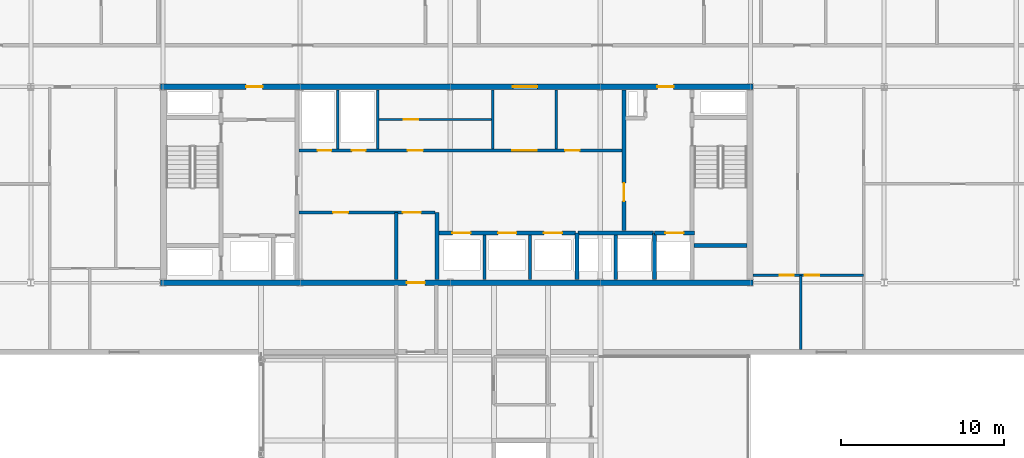
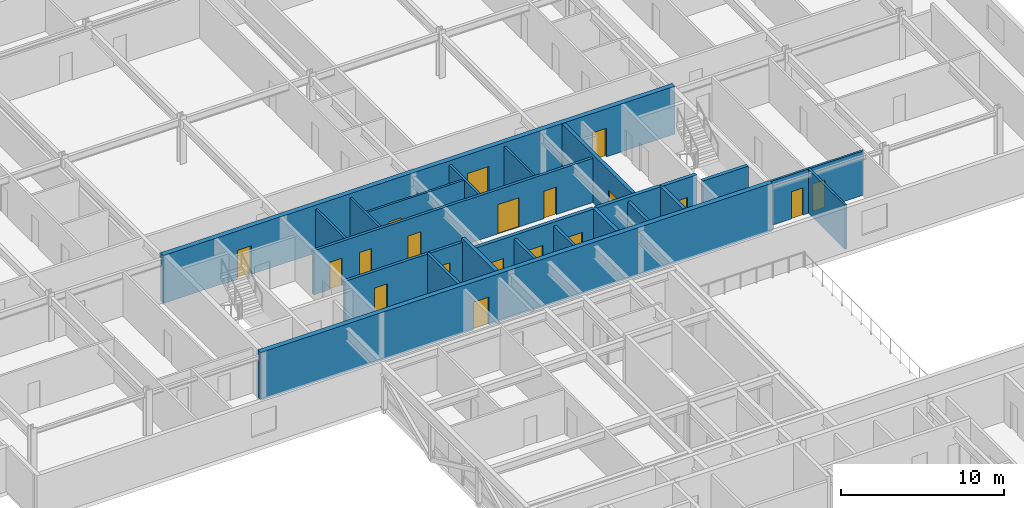
# One storey, part 18 of 28: 23 walls, 19 doors, 19 openings.
"""IFC4 building model written with IfcOpenShell, lengths in metres."""

from ifc_helpers import new_model, si_unit, direction, frame, frame_2d, origin, place, context, subcontext, project, spatial, rectangle, extrude, material, layer, layer_set, type_object, element, fill, save


model = new_model("IFC4")

# Units and contexts
model_context = context("Model", 3, precision=1e-05, world=origin(), true_north=direction((0.0, 1.0)))
body_context = subcontext(model_context, "Body", "Model", "MODEL_VIEW")
ifc_project = project(units=[si_unit("LENGTHUNIT", "METRE"), si_unit("AREAUNIT", "SQUARE_METRE"), si_unit("VOLUMEUNIT", "CUBIC_METRE"), si_unit("PLANEANGLEUNIT", "RADIAN"), si_unit("MASSUNIT", "GRAM", prefix="KILO")], contexts=[model_context])

# Site, building, storey
site_placement = place(None, origin())
site = spatial("IfcSite", under=ifc_project, at=site_placement, CompositionType="ELEMENT")
building_placement = place(site_placement, origin())
building = spatial("IfcBuilding", under=site, at=building_placement, Name="Korimba Cascade Residences", CompositionType="ELEMENT")
storey_placement = place(building_placement, frame((0.0, 0.0, 153.699951171875)))
storey = spatial("IfcBuildingStorey", under=building, at=storey_placement, Name="L44", CompositionType="ELEMENT", Elevation=153.699951171875)

# Wall, opening, door
ifc_material_1 = material(Name="Concrete C65/80", Category="concrete")
ifc_layer_1 = layer(ifc_material_1, 0.35009765625)
ifc_layer_set_1 = layer_set([ifc_layer_1], Name="Concrete C65/80")
wall_type_1 = type_object("IfcWallType", Name="WAL-CORE-350", PredefinedType="SHEAR", material=ifc_layer_set_1)
wall_1_placement = place(storey_placement, frame((75.949951171875, 55.199951171875, 0.0), z_axis=(0.0, 0.0, 1.0), x_axis=(1.0, 0.0, 0.0)))
wall_1 = element("IfcWall", 1, at=wall_1_placement, inside=storey, type_object=wall_type_1, Name="L44 Core Shear Wall CW-L44-T1-S", PredefinedType="SHEAR", context=body_context, shape_type="SweptSolid", body=[
    extrude(rectangle(XDim=36.300048828125, YDim=0.35009765625, at=frame_2d((18.14990234375, 0.0))), origin(), (0.0, 0.0, 1.0), 3.60009765625),
])
opening_1_placement = place(wall_1_placement, frame((15.10009765625, 0.0, 0.0)))
opening_1 = element("IfcOpeningElement", 2, at=opening_1_placement, cuts=wall_1, Name="Opening D-FD1", PredefinedType="OPENING", context=body_context, shape_type="SweptSolid", body=[
    extrude(rectangle(XDim=1.10009765625, YDim=2.10009765625, at=frame_2d((0.550048828125, 1.050048828125))), frame((0.0, 0.18505859375, 0.0), z_axis=(0.0, -1.0, 0.0), x_axis=(1.0, 0.0, 0.0)), (0.0, 0.0, 1.0), 0.3701171875),
])
ifc_material_2 = material(Name="Fire-Rated Steel Core Door", Category="steel")
door_type_1 = type_object("IfcDoorType", Name="DR-FD120-1100", OperationType="NOTDEFINED", PredefinedType="DOOR", material=ifc_material_2)
door_1_placement = place(opening_1_placement, origin())
door_1 = element("IfcDoor", 3, at=door_1_placement, inside=storey, type_object=door_type_1, Name="L44 Skybridge to T1 Core Fire Door", OperationType="SINGLE_SWING_RIGHT", OverallHeight=2.10009765625, OverallWidth=1.10009765625, PredefinedType="DOOR", context=body_context, shape_type="SweptSolid", body=[
    extrude(rectangle(XDim=1.10009765625, YDim=2.10009765625, at=frame_2d((0.550048828125, 1.050048828125))), frame((0.0, 0.02490234375, 0.0), z_axis=(0.0, -1.0, 0.0), x_axis=(1.0, 0.0, 0.0)), (0.0, 0.0, 1.0), 0.050048828125),
])
fill(opening_1, door_1)

# Wall, openings, doors
wall_2_placement = place(storey_placement, frame((75.949951171875, 67.199951171875, 0.0), z_axis=(0.0, 0.0, 1.0), x_axis=(1.0, 0.0, 0.0)))
wall_2 = element("IfcWall", 4, at=wall_2_placement, inside=storey, type_object=wall_type_1, Name="L44 Core Shear Wall CW-L44-T1-N", PredefinedType="SHEAR", context=body_context, shape_type="SweptSolid", body=[
    extrude(rectangle(XDim=36.300048828125, YDim=0.35009765625, at=frame_2d((18.14990234375, 0.0))), origin(), (0.0, 0.0, 1.0), 3.60009765625),
])
opening_2_placement = place(wall_2_placement, frame((5.25, 0.0, 0.0)))
opening_2 = element("IfcOpeningElement", 5, at=opening_2_placement, cuts=wall_2, Name="Opening D-FD5", PredefinedType="OPENING", context=body_context, shape_type="SweptSolid", body=[
    extrude(rectangle(XDim=1.0, YDim=2.14990234375, at=frame_2d((0.5, 1.074951171875))), frame((0.0, 0.18505859375, 0.0), z_axis=(0.0, -1.0, 0.0), x_axis=(1.0, 0.0, 0.0)), (0.0, 0.0, 1.0), 0.3701171875),
])
opening_3_placement = place(wall_2_placement, frame((21.60009765625, 0.0, 0.0)))
opening_3 = element("IfcOpeningElement", 6, at=opening_3_placement, cuts=wall_2, Name="Opening D-FD8", PredefinedType="OPENING", context=body_context, shape_type="SweptSolid", body=[
    extrude(rectangle(XDim=1.5, YDim=2.199951171875, at=frame_2d((0.75, 1.10009765625))), frame((0.0, 0.18505859375, 0.0), z_axis=(0.0, -1.0, 0.0), x_axis=(1.0, 0.0, 0.0)), (0.0, 0.0, 1.0), 0.3701171875),
])
opening_4_placement = place(wall_2_placement, frame((30.449951171875, 0.0, 0.0)))
opening_4 = element("IfcOpeningElement", 7, at=opening_4_placement, cuts=wall_2, Name="Opening D-FD5", PredefinedType="OPENING", context=body_context, shape_type="SweptSolid", body=[
    extrude(rectangle(XDim=1.0, YDim=2.14990234375, at=frame_2d((0.5, 1.074951171875))), frame((0.0, 0.18505859375, 0.0), z_axis=(0.0, -1.0, 0.0), x_axis=(1.0, 0.0, 0.0)), (0.0, 0.0, 1.0), 0.3701171875),
])
ifc_material_3 = material(Name="Fire-Rated Acoustic Timber Vestibule Door", Category="wood")
door_type_2 = type_object("IfcDoorType", Name="DR-FD90-1000", OperationType="NOTDEFINED", PredefinedType="DOOR", material=ifc_material_3)
door_2_placement = place(opening_2_placement, origin())
door_2 = element("IfcDoor", 8, at=door_2_placement, inside=storey, type_object=door_type_2, Name="L44 T1 West Core Vestibule Fire Door", OperationType="SINGLE_SWING_LEFT", OverallHeight=2.14990234375, OverallWidth=1.0, PredefinedType="DOOR", context=body_context, shape_type="SweptSolid", body=[
    extrude(rectangle(XDim=1.0, YDim=2.14990234375, at=frame_2d((0.5, 1.074951171875))), frame((0.0, 0.02490234375, 0.0), z_axis=(0.0, -1.0, 0.0), x_axis=(1.0, 0.0, 0.0)), (0.0, 0.0, 1.0), 0.050048828125),
])
fill(opening_2, door_2)
door_3_placement = place(opening_4_placement, origin())
door_3 = element("IfcDoor", 9, at=door_3_placement, inside=storey, type_object=door_type_2, Name="L44 T1 East Firefighting Vestibule Fire Door", OperationType="SINGLE_SWING_RIGHT", OverallHeight=2.14990234375, OverallWidth=1.0, PredefinedType="DOOR", context=body_context, shape_type="SweptSolid", body=[
    extrude(rectangle(XDim=1.0, YDim=2.14990234375, at=frame_2d((0.5, 1.074951171875))), frame((0.0, 0.02490234375, 0.0), z_axis=(0.0, -1.0, 0.0), x_axis=(1.0, 0.0, 0.0)), (0.0, 0.0, 1.0), 0.050048828125),
])
fill(opening_4, door_3)
ifc_material_4 = material(Name="Fire-Rated Glazed Lift Lobby Double Door", Category="glass")
door_type_3 = type_object("IfcDoorType", Name="DR-FD90-1500", OperationType="NOTDEFINED", PredefinedType="DOOR", material=ifc_material_4)
door_4_placement = place(opening_3_placement, origin())
door_4 = element("IfcDoor", 10, at=door_4_placement, inside=storey, type_object=door_type_3, Name="L44 T1 Lift Lobby Fire Door", OperationType="DOUBLE_DOOR_SINGLE_SWING", OverallHeight=2.199951171875, OverallWidth=1.5, PredefinedType="DOOR", context=body_context, shape_type="SweptSolid", body=[
    extrude(rectangle(XDim=1.5, YDim=2.199951171875, at=frame_2d((0.75, 1.10009765625))), frame((0.0, 0.02490234375, 0.0), z_axis=(0.0, -1.0, 0.0), x_axis=(1.0, 0.0, 0.0)), (0.0, 0.0, 1.0), 0.050048828125),
])
fill(opening_3, door_4)

# Walls
ifc_material_5 = material(Name="Insulated Acoustic Stud Partition", Category="gypsum")
ifc_layer_2 = layer(ifc_material_5, 0.14990234375)
ifc_layer_set_2 = layer_set([ifc_layer_2], Name="Insulated Acoustic Stud Partition")
wall_type_2 = type_object("IfcWallType", Name="WAL-PART-150", PredefinedType="PARTITIONING", material=ifc_layer_set_2)
for number, where, z_axis, x_axis, name in (
    (11, (86.800048828125, 63.39990234375, 0.0), (0.0, 0.0, 1.0), (0.0, 1.0, 0.0), "L44 Partition Wall CW-L44-T1-ERDIV"),
    (12, (89.25, 63.39990234375, 0.0), (0.0, 0.0, 1.0), (0.0, 1.0, 0.0), "L44 Partition Wall CW-L44-T1-PRDIV"),
):
    element("IfcWall", number, at=place(storey_placement, frame(where, z_axis=z_axis, x_axis=x_axis)), inside=storey, type_object=wall_type_2, Name=name, PredefinedType="PARTITIONING", context=body_context, shape_type="SweptSolid", body=[
        extrude(rectangle(XDim=3.60009765625, YDim=0.14990234375, at=frame_2d((1.800048828125, 0.0))), origin(), (0.0, 0.0, 1.0), 3.320068359375),
    ])

# Wall, opening, door
wall_3_placement = place(storey_placement, frame((89.25, 65.199951171875, 0.0), z_axis=(0.0, 0.0, 1.0), x_axis=(1.0, 0.0, 0.0)))
wall_3 = element("IfcWall", 13, at=wall_3_placement, inside=storey, type_object=wall_type_2, Name="L44 Partition Wall CW-L44-T1-CA2HZ", PredefinedType="PARTITIONING", context=body_context, shape_type="SweptSolid", body=[
    extrude(rectangle(XDim=7.050048828125, YDim=0.14990234375, at=frame_2d((3.52490234375, 0.0))), origin(), (0.0, 0.0, 1.0), 3.320068359375),
])
opening_5_placement = place(wall_3_placement, frame((1.60009765625, 0.0, 0.0)))
opening_5 = element("IfcOpeningElement", 14, at=opening_5_placement, cuts=wall_3, Name="Opening D-IN2", PredefinedType="OPENING", context=body_context, shape_type="SweptSolid", body=[
    extrude(rectangle(XDim=0.8798828125, YDim=2.06005859375, at=frame_2d((0.43994140625, 1.030029296875))), frame((0.0, 0.0849609375, 0.0), z_axis=(0.0, -1.0, 0.0), x_axis=(1.0, 0.0, 0.0)), (0.0, 0.0, 1.0), 0.169921875),
])
ifc_material_6 = material(Name="Acoustic Timber Bedroom Door", Category="wood")
door_type_4 = type_object("IfcDoorType", Name="DR-INT-880", OperationType="NOTDEFINED", PredefinedType="DOOR", material=ifc_material_6)
door_5_placement = place(opening_5_placement, origin())
door_5 = element("IfcDoor", 15, at=door_5_placement, inside=storey, type_object=door_type_4, Name="L44 Pram Store Door", OperationType="SINGLE_SWING_LEFT", OverallHeight=2.06005859375, OverallWidth=0.8798828125, PredefinedType="DOOR", context=body_context, shape_type="SweptSolid", body=[
    extrude(rectangle(XDim=0.8798828125, YDim=2.06005859375, at=frame_2d((0.43994140625, 1.030029296875))), frame((0.0, 0.02490234375, 0.0), z_axis=(0.0, -1.0, 0.0), x_axis=(1.0, 0.0, 0.0)), (0.0, 0.0, 1.0), 0.050048828125),
])
fill(opening_5, door_5)

# Walls
for number, where, z_axis, x_axis, name in (
    (16, (96.300048828125, 63.39990234375, 0.0), (0.0, 0.0, 1.0), (0.0, 1.0, 0.0), "L44 Partition Wall CW-L44-T1-THW"),
    (17, (100.199951171875, 63.39990234375, 0.0), (0.0, 0.0, 1.0), (0.0, 1.0, 0.0), "L44 Partition Wall CW-L44-T1-THE"),
):
    element("IfcWall", number, at=place(storey_placement, frame(where, z_axis=z_axis, x_axis=x_axis)), inside=storey, type_object=wall_type_2, Name=name, PredefinedType="PARTITIONING", context=body_context, shape_type="SweptSolid", body=[
        extrude(rectangle(XDim=3.60009765625, YDim=0.14990234375, at=frame_2d((1.800048828125, 0.0))), origin(), (0.0, 0.0, 1.0), 3.320068359375),
    ])
wall_4_placement = place(storey_placement, frame((115.199951171875, 51.10009765625, 0.0), z_axis=(0.0, 0.0, 1.0), x_axis=(0.0, 1.0, 0.0)))
element("IfcWall", 18, at=wall_4_placement, inside=storey, type_object=wall_type_2, Name="L44 Partition Wall WAL-L44-T1-FE-VS", PredefinedType="PARTITIONING", context=body_context, shape_type="SweptSolid", body=[
    extrude(rectangle(XDim=4.5498046875, YDim=0.14990234375, at=frame_2d((2.27490234375, 0.0))), origin(), (0.0, 0.0, 1.0), 3.320068359375),
])

# Wall, openings, doors
wall_5_placement = place(storey_placement, frame((112.27001953125, 55.64990234375, 0.0), z_axis=(0.0, 0.0, 1.0), x_axis=(1.0, 0.0, 0.0)))
wall_5 = element("IfcWall", 19, at=wall_5_placement, inside=storey, type_object=wall_type_2, Name="L44 Partition Wall WAL-L44-T1-FE-H", PredefinedType="PARTITIONING", context=body_context, shape_type="SweptSolid", body=[
    extrude(rectangle(XDim=6.760009765625, YDim=0.14990234375, at=frame_2d((3.3798828125, 0.0))), origin(), (0.0, 0.0, 1.0), 3.320068359375),
])
opening_6_placement = place(wall_5_placement, frame((1.6396484375, 0.0, 0.0)))
opening_6 = element("IfcOpeningElement", 20, at=opening_6_placement, cuts=wall_5, Name="Opening D-BT1", PredefinedType="OPENING", context=body_context, shape_type="SweptSolid", body=[
    extrude(rectangle(XDim=0.840087890625, YDim=2.0400390625, at=frame_2d((0.419921875, 1.02001953125))), frame((0.0, 0.0849609375, 0.0), z_axis=(0.0, -1.0, 0.0), x_axis=(1.0, 0.0, 0.0)), (0.0, 0.0, 1.0), 0.169921875),
])
opening_7_placement = place(wall_5_placement, frame((3.160400390625, 0.0, 0.0)))
opening_7 = element("IfcOpeningElement", 21, at=opening_7_placement, cuts=wall_5, Name="Opening D-IN2", PredefinedType="OPENING", context=body_context, shape_type="SweptSolid", body=[
    extrude(rectangle(XDim=0.8798828125, YDim=2.06005859375, at=frame_2d((0.43994140625, 1.030029296875))), frame((0.0, 0.0849609375, 0.0), z_axis=(0.0, -1.0, 0.0), x_axis=(1.0, 0.0, 0.0)), (0.0, 0.0, 1.0), 0.169921875),
])
ifc_material_7 = material(Name="Moisture-Resistant Bathroom Timber Door", Category="wood")
door_type_5 = type_object("IfcDoorType", Name="DR-INT-850", OperationType="NOTDEFINED", PredefinedType="DOOR", material=ifc_material_7)
door_6_placement = place(opening_6_placement, origin())
door_6 = element("IfcDoor", 22, at=door_6_placement, inside=storey, type_object=door_type_5, Name="L44-T1-FE Bathroom Door", OperationType="SINGLE_SWING_LEFT", OverallHeight=2.0400390625, OverallWidth=0.840087890625, PredefinedType="DOOR", context=body_context, shape_type="SweptSolid", body=[
    extrude(rectangle(XDim=0.840087890625, YDim=2.0400390625, at=frame_2d((0.419921875, 1.02001953125))), frame((0.0, 0.02490234375, 0.0), z_axis=(0.0, -1.0, 0.0), x_axis=(1.0, 0.0, 0.0)), (0.0, 0.0, 1.0), 0.050048828125),
])
fill(opening_6, door_6)
door_7_placement = place(opening_7_placement, origin())
door_7 = element("IfcDoor", 23, at=door_7_placement, inside=storey, type_object=door_type_4, Name="L44-T1-FE Bedroom Door", OperationType="SINGLE_SWING_RIGHT", OverallHeight=2.06005859375, OverallWidth=0.8798828125, PredefinedType="DOOR", context=body_context, shape_type="SweptSolid", body=[
    extrude(rectangle(XDim=0.8798828125, YDim=2.06005859375, at=frame_2d((0.43994140625, 1.030029296875))), frame((0.0, 0.02490234375, 0.0), z_axis=(0.0, -1.0, 0.0), x_axis=(1.0, 0.0, 0.0)), (0.0, 0.0, 1.0), 0.050048828125),
])
fill(opening_7, door_7)

# Wall
ifc_material_8 = material(Name="Concrete C40/50", Category="concrete")
ifc_layer_3 = layer(ifc_material_8, 0.199951171875)
ifc_layer_set_3 = layer_set([ifc_layer_3], Name="Concrete C40/50")
wall_type_3 = type_object("IfcWallType", Name="WAL-PART-200", PredefinedType="PARTITIONING", material=ifc_layer_set_3)
wall_6_placement = place(storey_placement, frame((90.39990234375, 55.39990234375, 0.0), z_axis=(0.0, 0.0, 1.0), x_axis=(0.0, 1.0, 0.0)))
element("IfcWall", 24, at=wall_6_placement, inside=storey, type_object=wall_type_3, Name="L44 Partition Wall CW-L44-T1-BRGPD", PredefinedType="PARTITIONING", context=body_context, shape_type="SweptSolid", body=[
    extrude(rectangle(XDim=4.10009765625, YDim=0.199951171875, at=frame_2d((2.050048828125, 0.0))), origin(), (0.0, 0.0, 1.0), 3.320068359375),
])

# Wall, openings, doors
wall_7_placement = place(storey_placement, frame((84.419921875, 59.5, 0.0), z_axis=(0.0, 0.0, 1.0), x_axis=(1.0, 0.0, 0.0)))
wall_7 = element("IfcWall", 25, at=wall_7_placement, inside=storey, type_object=wall_type_3, Name="L44 Partition Wall CW-L44-T1-B1RN", PredefinedType="PARTITIONING", context=body_context, shape_type="SweptSolid", body=[
    extrude(rectangle(XDim=8.360107421875, YDim=0.199951171875, at=frame_2d((4.18017578125, 0.0))), origin(), (0.0, 0.0, 1.0), 3.320068359375),
])
opening_8_placement = place(wall_7_placement, frame((2.10009765625, 0.0, 0.0)))
opening_8 = element("IfcOpeningElement", 26, at=opening_8_placement, cuts=wall_7, Name="Opening D-ST1", PredefinedType="OPENING", context=body_context, shape_type="SweptSolid", body=[
    extrude(rectangle(XDim=0.919921875, YDim=2.080078125, at=frame_2d((0.4599609375, 1.0400390625))), frame((0.0, 0.10986328125, 0.0), z_axis=(0.0, -1.0, 0.0), x_axis=(1.0, 0.0, 0.0)), (0.0, 0.0, 1.0), 0.219970703125),
])
opening_9_placement = place(wall_7_placement, frame((6.3798828125, 0.0, 0.0)))
opening_9 = element("IfcOpeningElement", 27, at=opening_9_placement, cuts=wall_7, Name="Opening D-FD1", PredefinedType="OPENING", context=body_context, shape_type="SweptSolid", body=[
    extrude(rectangle(XDim=1.10009765625, YDim=2.10009765625, at=frame_2d((0.550048828125, 1.050048828125))), frame((0.0, 0.10986328125, 0.0), z_axis=(0.0, -1.0, 0.0), x_axis=(1.0, 0.0, 0.0)), (0.0, 0.0, 1.0), 0.219970703125),
])
door_8_placement = place(opening_9_placement, origin())
door_8 = element("IfcDoor", 28, at=door_8_placement, inside=storey, type_object=door_type_1, Name="L44 Skybridge Vestibule to Lift Lobby Door", OperationType="SINGLE_SWING_RIGHT", OverallHeight=2.10009765625, OverallWidth=1.10009765625, PredefinedType="DOOR", context=body_context, shape_type="SweptSolid", body=[
    extrude(rectangle(XDim=1.10009765625, YDim=2.10009765625, at=frame_2d((0.550048828125, 1.050048828125))), frame((0.0, 0.02490234375, 0.0), z_axis=(0.0, -1.0, 0.0), x_axis=(1.0, 0.0, 0.0)), (0.0, 0.0, 1.0), 0.050048828125),
])
fill(opening_9, door_8)
ifc_material_9 = material(Name="Fire-Rated Core Store Door", Category="wood")
door_type_6 = type_object("IfcDoorType", Name="DR-FD60-920", OperationType="NOTDEFINED", PredefinedType="DOOR", material=ifc_material_9)
door_9_placement = place(opening_8_placement, origin())
door_9 = element("IfcDoor", 29, at=door_9_placement, inside=storey, type_object=door_type_6, Name="L44 Resident Storage Door", OperationType="SINGLE_SWING_LEFT", OverallHeight=2.080078125, OverallWidth=0.919921875, PredefinedType="DOOR", context=body_context, shape_type="SweptSolid", body=[
    extrude(rectangle(XDim=0.919921875, YDim=2.080078125, at=frame_2d((0.4599609375, 1.0400390625))), frame((0.0, 0.02490234375, 0.0), z_axis=(0.0, -1.0, 0.0), x_axis=(1.0, 0.0, 0.0)), (0.0, 0.0, 1.0), 0.050048828125),
])
fill(opening_8, door_9)

# Walls
for number, where, z_axis, x_axis, name in (
    (30, (95.800048828125, 55.39990234375, 0.0), (0.0, 0.0, 1.0), (0.0, 1.0, 0.0), "L44 Partition Wall CW-L44-T1-B2D1"),
    (31, (98.60009765625, 55.39990234375, 0.0), (0.0, 0.0, 1.0), (0.0, 1.0, 0.0), "L44 Partition Wall CW-L44-T1-B2D2"),
    (32, (103.85009765625, 55.39990234375, 0.0), (0.0, 0.0, 1.0), (0.0, 1.0, 0.0), "L44 Partition Wall CW-L44-T1-B3D1"),
):
    element("IfcWall", number, at=place(storey_placement, frame(where, z_axis=z_axis, x_axis=x_axis)), inside=storey, type_object=wall_type_3, Name=name, PredefinedType="PARTITIONING", context=body_context, shape_type="SweptSolid", body=[
        extrude(rectangle(XDim=2.72021484375, YDim=0.199951171875, at=frame_2d((1.360107421875, 0.0))), origin(), (0.0, 0.0, 1.0), 3.320068359375),
    ])

# Wall, openings, doors
wall_8_placement = place(storey_placement, frame((84.419921875, 63.300048828125, 0.0), z_axis=(0.0, 0.0, 1.0), x_axis=(1.0, 0.0, 0.0)))
wall_8 = element("IfcWall", 33, at=wall_8_placement, inside=storey, type_object=wall_type_3, Name="L44 Partition Wall CW-L44-T1-SRVROW", PredefinedType="PARTITIONING", context=body_context, shape_type="SweptSolid", body=[
    extrude(rectangle(XDim=19.830078125, YDim=0.199951171875, at=frame_2d((9.9150390625, 0.0))), origin(), (0.0, 0.0, 1.0), 3.320068359375),
])
opening_10_placement = place(wall_8_placement, frame((1.14990234375, 0.0, 0.0)))
opening_10 = element("IfcOpeningElement", 34, at=opening_10_placement, cuts=wall_8, Name="Opening D-RS1", PredefinedType="OPENING", context=body_context, shape_type="SweptSolid", body=[
    extrude(rectangle(XDim=0.85009765625, YDim=2.050048828125, at=frame_2d((0.425048828125, 1.02490234375))), frame((0.0, 0.10986328125, 0.0), z_axis=(0.0, -1.0, 0.0), x_axis=(1.0, 0.0, 0.0)), (0.0, 0.0, 1.0), 0.219970703125),
])
opening_11_placement = place(wall_8_placement, frame((3.25, 0.0, 0.0)))
opening_11 = element("IfcOpeningElement", 35, at=opening_11_placement, cuts=wall_8, Name="Opening D-RS1", PredefinedType="OPENING", context=body_context, shape_type="SweptSolid", body=[
    extrude(rectangle(XDim=0.85009765625, YDim=2.050048828125, at=frame_2d((0.425048828125, 1.02490234375))), frame((0.0, 0.10986328125, 0.0), z_axis=(0.0, -1.0, 0.0), x_axis=(1.0, 0.0, 0.0)), (0.0, 0.0, 1.0), 0.219970703125),
])
opening_12_placement = place(wall_8_placement, frame((13.080078125, 0.0, 0.0)))
opening_12 = element("IfcOpeningElement", 36, at=opening_12_placement, cuts=wall_8, Name="Opening D-FD8", PredefinedType="OPENING", context=body_context, shape_type="SweptSolid", body=[
    extrude(rectangle(XDim=1.5, YDim=2.199951171875, at=frame_2d((0.75, 1.10009765625))), frame((0.0, 0.10986328125, 0.0), z_axis=(0.0, -1.0, 0.0), x_axis=(1.0, 0.0, 0.0)), (0.0, 0.0, 1.0), 0.219970703125),
])
opening_13_placement = place(wall_8_placement, frame((6.679931640625, 0.0, 0.0)))
opening_13 = element("IfcOpeningElement", 37, at=opening_13_placement, cuts=wall_8, Name="Opening D-IN1", PredefinedType="OPENING", context=body_context, shape_type="SweptSolid", body=[
    extrude(rectangle(XDim=0.919921875, YDim=2.080078125, at=frame_2d((0.4599609375, 1.0400390625))), frame((0.0, 0.10986328125, 0.0), z_axis=(0.0, -1.0, 0.0), x_axis=(1.0, 0.0, 0.0)), (0.0, 0.0, 1.0), 0.219970703125),
])
opening_14_placement = place(wall_8_placement, frame((16.330078125, 0.0, 0.0)))
opening_14 = element("IfcOpeningElement", 38, at=opening_14_placement, cuts=wall_8, Name="Opening D-IN2", PredefinedType="OPENING", context=body_context, shape_type="SweptSolid", body=[
    extrude(rectangle(XDim=0.8798828125, YDim=2.06005859375, at=frame_2d((0.43994140625, 1.030029296875))), frame((0.0, 0.10986328125, 0.0), z_axis=(0.0, -1.0, 0.0), x_axis=(1.0, 0.0, 0.0)), (0.0, 0.0, 1.0), 0.219970703125),
])
ifc_material_10 = material(Name="Fire-Rated Steel Riser Access Door", Category="steel")
door_type_7 = type_object("IfcDoorType", Name="DR-FD60-850", OperationType="NOTDEFINED", PredefinedType="DOOR", material=ifc_material_10)
door_10_placement = place(opening_10_placement, origin())
door_10 = element("IfcDoor", 39, at=door_10_placement, inside=storey, type_object=door_type_7, Name="L44 Electrical Riser Door", OperationType="SINGLE_SWING_RIGHT", OverallHeight=2.050048828125, OverallWidth=0.85009765625, PredefinedType="DOOR", context=body_context, shape_type="SweptSolid", body=[
    extrude(rectangle(XDim=0.85009765625, YDim=2.050048828125, at=frame_2d((0.425048828125, 1.02490234375))), frame((0.0, 0.02490234375, 0.0), z_axis=(0.0, -1.0, 0.0), x_axis=(1.0, 0.0, 0.0)), (0.0, 0.0, 1.0), 0.050048828125),
])
fill(opening_10, door_10)
door_11_placement = place(opening_11_placement, origin())
door_11 = element("IfcDoor", 40, at=door_11_placement, inside=storey, type_object=door_type_7, Name="L44 Plumbing Riser Door", OperationType="SINGLE_SWING_LEFT", OverallHeight=2.050048828125, OverallWidth=0.85009765625, PredefinedType="DOOR", context=body_context, shape_type="SweptSolid", body=[
    extrude(rectangle(XDim=0.85009765625, YDim=2.050048828125, at=frame_2d((0.425048828125, 1.02490234375))), frame((0.0, 0.02490234375, 0.0), z_axis=(0.0, -1.0, 0.0), x_axis=(1.0, 0.0, 0.0)), (0.0, 0.0, 1.0), 0.050048828125),
])
fill(opening_11, door_11)
door_12_placement = place(opening_12_placement, origin())
door_12 = element("IfcDoor", 41, at=door_12_placement, inside=storey, type_object=door_type_3, Name="L44 Lift Lobby Foyer Archway Door", OperationType="DOUBLE_DOOR_SINGLE_SWING", OverallHeight=2.199951171875, OverallWidth=1.5, PredefinedType="DOOR", context=body_context, shape_type="SweptSolid", body=[
    extrude(rectangle(XDim=1.5, YDim=2.199951171875, at=frame_2d((0.75, 1.10009765625))), frame((0.0, 0.02490234375, 0.0), z_axis=(0.0, -1.0, 0.0), x_axis=(1.0, 0.0, 0.0)), (0.0, 0.0, 1.0), 0.050048828125),
])
fill(opening_12, door_12)
door_13_placement = place(opening_14_placement, origin())
door_13 = element("IfcDoor", 42, at=door_13_placement, inside=storey, type_object=door_type_4, Name="L44 Staff WC Door", OperationType="SINGLE_SWING_LEFT", OverallHeight=2.06005859375, OverallWidth=0.8798828125, PredefinedType="DOOR", context=body_context, shape_type="SweptSolid", body=[
    extrude(rectangle(XDim=0.8798828125, YDim=2.06005859375, at=frame_2d((0.43994140625, 1.030029296875))), frame((0.0, 0.02490234375, 0.0), z_axis=(0.0, -1.0, 0.0), x_axis=(1.0, 0.0, 0.0)), (0.0, 0.0, 1.0), 0.050048828125),
])
fill(opening_14, door_13)
ifc_material_11 = material(Name="Acoustic Timber Living Door", Category="wood")
door_type_8 = type_object("IfcDoorType", Name="DR-INT-920", OperationType="NOTDEFINED", PredefinedType="DOOR", material=ifc_material_11)
door_14_placement = place(opening_13_placement, origin())
door_14 = element("IfcDoor", 43, at=door_14_placement, inside=storey, type_object=door_type_8, Name="L44 Locker Room Door", OperationType="SINGLE_SWING_RIGHT", OverallHeight=2.080078125, OverallWidth=0.919921875, PredefinedType="DOOR", context=body_context, shape_type="SweptSolid", body=[
    extrude(rectangle(XDim=0.919921875, YDim=2.080078125, at=frame_2d((0.4599609375, 1.0400390625))), frame((0.0, 0.02490234375, 0.0), z_axis=(0.0, -1.0, 0.0), x_axis=(1.0, 0.0, 0.0)), (0.0, 0.0, 1.0), 0.050048828125),
])
fill(opening_13, door_14)

# Wall
ifc_material_12 = material(Name="Concrete C50/60", Category="concrete")
ifc_layer_4 = layer(ifc_material_12, 0.25)
ifc_layer_set_4 = layer_set([ifc_layer_4], Name="Concrete C50/60")
wall_type_4 = type_object("IfcWallType", Name="WAL-SHAFT-250", PredefinedType="SHEAR", material=ifc_layer_set_4)
wall_9_placement = place(storey_placement, frame((92.89990234375, 55.39990234375, 0.0), z_axis=(0.0, 0.0, 1.0), x_axis=(0.0, 1.0, 0.0)))
element("IfcWall", 44, at=wall_9_placement, inside=storey, type_object=wall_type_4, Name="L44 Core Shear Wall CW-L44-T1-B12DIV", PredefinedType="SHEAR", context=body_context, shape_type="SweptSolid", body=[
    extrude(rectangle(XDim=4.10009765625, YDim=0.25, at=frame_2d((2.050048828125, 0.0))), origin(), (0.0, 0.0, 1.0), 3.60009765625),
])

# Wall, openings, doors
wall_10_placement = place(storey_placement, frame((93.02001953125, 58.25, 0.0), z_axis=(0.0, 0.0, 1.0), x_axis=(1.0, 0.0, 0.0)))
wall_10 = element("IfcWall", 45, at=wall_10_placement, inside=storey, type_object=wall_type_4, Name="L44 Core Shear Wall CW-L44-T1-B2N", PredefinedType="SHEAR", context=body_context, shape_type="SweptSolid", body=[
    extrude(rectangle(XDim=8.35986328125, YDim=0.25, at=frame_2d((4.179931640625, 0.0))), origin(), (0.0, 0.0, 1.0), 3.60009765625),
])
opening_15_placement = place(wall_10_placement, frame((0.820068359375, 0.0, 0.0)))
opening_15 = element("IfcOpeningElement", 46, at=opening_15_placement, cuts=wall_10, Name="Opening LD-01", PredefinedType="OPENING", context=body_context, shape_type="SweptSolid", body=[
    extrude(rectangle(XDim=1.1201171875, YDim=2.1201171875, at=frame_2d((0.56005859375, 1.06005859375))), frame((0.0, 0.135009765625, 0.0), z_axis=(0.0, -1.0, 0.0), x_axis=(1.0, 0.0, 0.0)), (0.0, 0.0, 1.0), 0.27001953125),
])
opening_16_placement = place(wall_10_placement, frame((3.6201171875, 0.0, 0.0)))
opening_16 = element("IfcOpeningElement", 47, at=opening_16_placement, cuts=wall_10, Name="Opening LD-01", PredefinedType="OPENING", context=body_context, shape_type="SweptSolid", body=[
    extrude(rectangle(XDim=1.1201171875, YDim=2.1201171875, at=frame_2d((0.56005859375, 1.06005859375))), frame((0.0, 0.135009765625, 0.0), z_axis=(0.0, -1.0, 0.0), x_axis=(1.0, 0.0, 0.0)), (0.0, 0.0, 1.0), 0.27001953125),
])
opening_17_placement = place(wall_10_placement, frame((6.419921875, 0.0, 0.0)))
opening_17 = element("IfcOpeningElement", 48, at=opening_17_placement, cuts=wall_10, Name="Opening LD-01", PredefinedType="OPENING", context=body_context, shape_type="SweptSolid", body=[
    extrude(rectangle(XDim=1.1201171875, YDim=2.1201171875, at=frame_2d((0.56005859375, 1.06005859375))), frame((0.0, 0.135009765625, 0.0), z_axis=(0.0, -1.0, 0.0), x_axis=(1.0, 0.0, 0.0)), (0.0, 0.0, 1.0), 0.27001953125),
])
ifc_material_13 = material(Name="Stainless Steel Lift Landing Sliding Door", Category="steel")
door_type_9 = type_object("IfcDoorType", Name="DR-LIFT-1100", OperationType="NOTDEFINED", PredefinedType="DOOR", material=ifc_material_13)
door_15_placement = place(opening_15_placement, origin())
door_15 = element("IfcDoor", 49, at=door_15_placement, inside=storey, type_object=door_type_9, Name="L44 Lift Landing Door PL-W4", OperationType="SLIDING_TO_RIGHT", OverallHeight=2.1201171875, OverallWidth=1.1201171875, PredefinedType="DOOR", context=body_context, shape_type="SweptSolid", body=[
    extrude(rectangle(XDim=1.1201171875, YDim=2.1201171875, at=frame_2d((0.56005859375, 1.06005859375))), frame((0.0, 0.02490234375, 0.0), z_axis=(0.0, -1.0, 0.0), x_axis=(1.0, 0.0, 0.0)), (0.0, 0.0, 1.0), 0.050048828125),
])
fill(opening_15, door_15)
door_16_placement = place(opening_16_placement, origin())
door_16 = element("IfcDoor", 50, at=door_16_placement, inside=storey, type_object=door_type_9, Name="L44 Lift Landing Door PL-W5", OperationType="SLIDING_TO_RIGHT", OverallHeight=2.1201171875, OverallWidth=1.1201171875, PredefinedType="DOOR", context=body_context, shape_type="SweptSolid", body=[
    extrude(rectangle(XDim=1.1201171875, YDim=2.1201171875, at=frame_2d((0.56005859375, 1.06005859375))), frame((0.0, 0.02490234375, 0.0), z_axis=(0.0, -1.0, 0.0), x_axis=(1.0, 0.0, 0.0)), (0.0, 0.0, 1.0), 0.050048828125),
])
fill(opening_16, door_16)
door_17_placement = place(opening_17_placement, origin())
door_17 = element("IfcDoor", 51, at=door_17_placement, inside=storey, type_object=door_type_9, Name="L44 Lift Landing Door PL-W6", OperationType="SLIDING_TO_RIGHT", OverallHeight=2.1201171875, OverallWidth=1.1201171875, PredefinedType="DOOR", context=body_context, shape_type="SweptSolid", body=[
    extrude(rectangle(XDim=1.1201171875, YDim=2.1201171875, at=frame_2d((0.56005859375, 1.06005859375))), frame((0.0, 0.02490234375, 0.0), z_axis=(0.0, -1.0, 0.0), x_axis=(1.0, 0.0, 0.0)), (0.0, 0.0, 1.0), 0.050048828125),
])
fill(opening_17, door_17)

# Walls
wall_11_placement = place(storey_placement, frame((101.47998046875, 55.39990234375, 0.0), z_axis=(0.0, 0.0, 1.0), x_axis=(0.0, 1.0, 0.0)))
element("IfcWall", 52, at=wall_11_placement, inside=storey, type_object=wall_type_4, Name="L44 Core Shear Wall CW-L44-T1-B23DIV", PredefinedType="SHEAR", context=body_context, shape_type="SweptSolid", body=[
    extrude(rectangle(XDim=2.85009765625, YDim=0.25, at=frame_2d((1.425048828125, 0.0))), origin(), (0.0, 0.0, 1.0), 3.60009765625),
])
wall_12_placement = place(storey_placement, frame((101.550048828125, 58.25, 0.0), z_axis=(0.0, 0.0, 1.0), x_axis=(1.0, 0.0, 0.0)))
element("IfcWall", 53, at=wall_12_placement, inside=storey, type_object=wall_type_4, Name="L44 Core Shear Wall CW-L44-T1-B3N", PredefinedType="SHEAR", context=body_context, shape_type="SweptSolid", body=[
    extrude(rectangle(XDim=4.599853515625, YDim=0.25, at=frame_2d((2.2998046875, 0.0))), origin(), (0.0, 0.0, 1.0), 3.60009765625),
])
wall_13_placement = place(storey_placement, frame((106.219970703125, 55.39990234375, 0.0), z_axis=(0.0, 0.0, 1.0), x_axis=(0.0, 1.0, 0.0)))
element("IfcWall", 54, at=wall_13_placement, inside=storey, type_object=wall_type_4, Name="L44 Core Shear Wall CW-L44-T1-FF2W", PredefinedType="SHEAR", context=body_context, shape_type="SweptSolid", body=[
    extrude(rectangle(XDim=2.85009765625, YDim=0.25, at=frame_2d((1.425048828125, 0.0))), origin(), (0.0, 0.0, 1.0), 3.60009765625),
])

# Wall, opening, door
wall_14_placement = place(storey_placement, frame((106.219970703125, 58.25, 0.0), z_axis=(0.0, 0.0, 1.0), x_axis=(1.0, 0.0, 0.0)))
wall_14 = element("IfcWall", 55, at=wall_14_placement, inside=storey, type_object=wall_type_4, Name="L44 Core Shear Wall CW-L44-T1-FF2N", PredefinedType="SHEAR", context=body_context, shape_type="SweptSolid", body=[
    extrude(rectangle(XDim=2.4599609375, YDim=0.25, at=frame_2d((1.22998046875, 0.0))), origin(), (0.0, 0.0, 1.0), 3.60009765625),
])
opening_18_placement = place(wall_14_placement, frame((0.669921875, 0.0, 0.0)))
opening_18 = element("IfcOpeningElement", 56, at=opening_18_placement, cuts=wall_14, Name="Opening LD-01", PredefinedType="OPENING", context=body_context, shape_type="SweptSolid", body=[
    extrude(rectangle(XDim=1.1201171875, YDim=2.1201171875, at=frame_2d((0.56005859375, 1.06005859375))), frame((0.0, 0.135009765625, 0.0), z_axis=(0.0, -1.0, 0.0), x_axis=(1.0, 0.0, 0.0)), (0.0, 0.0, 1.0), 0.27001953125),
])
door_18_placement = place(opening_18_placement, origin())
door_18 = element("IfcDoor", 57, at=door_18_placement, inside=storey, type_object=door_type_9, Name="L44 Firefighting Lift Landing Door FFL-W2", OperationType="SLIDING_TO_RIGHT", OverallHeight=2.1201171875, OverallWidth=1.1201171875, PredefinedType="DOOR", context=body_context, shape_type="SweptSolid", body=[
    extrude(rectangle(XDim=1.1201171875, YDim=2.1201171875, at=frame_2d((0.56005859375, 1.06005859375))), frame((0.0, 0.02490234375, 0.0), z_axis=(0.0, -1.0, 0.0), x_axis=(1.0, 0.0, 0.0)), (0.0, 0.0, 1.0), 0.050048828125),
])
fill(opening_18, door_18)

wall_15_placement = place(storey_placement, frame((104.35009765625, 58.39990234375, 0.0), z_axis=(0.0, 0.0, 1.0), x_axis=(0.0, 1.0, 0.0)))
wall_15 = element("IfcWall", 58, at=wall_15_placement, inside=storey, type_object=wall_type_4, Name="L44 Core Shear Wall CW-L44-T1-LLEV", PredefinedType="SHEAR", context=body_context, shape_type="SweptSolid", body=[
    extrude(rectangle(XDim=8.60009765625, YDim=0.25, at=frame_2d((4.300048828125, 0.0))), origin(), (0.0, 0.0, 1.0), 3.60009765625),
])
opening_19_placement = place(wall_15_placement, frame((1.800048828125, 0.0, 0.0)))
opening_19 = element("IfcOpeningElement", 59, at=opening_19_placement, cuts=wall_15, Name="Opening D-FD1", PredefinedType="OPENING", context=body_context, shape_type="SweptSolid", body=[
    extrude(rectangle(XDim=1.10009765625, YDim=2.10009765625, at=frame_2d((0.550048828125, 1.050048828125))), frame((0.0, 0.135009765625, 0.0), z_axis=(0.0, -1.0, 0.0), x_axis=(1.0, 0.0, 0.0)), (0.0, 0.0, 1.0), 0.27001953125),
])
door_19_placement = place(opening_19_placement, origin())
door_19 = element("IfcDoor", 60, at=door_19_placement, inside=storey, type_object=door_type_1, Name="L44 Lift Lobby to East Firefighting Lobby Door", OperationType="SINGLE_SWING_LEFT", OverallHeight=2.10009765625, OverallWidth=1.10009765625, PredefinedType="DOOR", context=body_context, shape_type="SweptSolid", body=[
    extrude(rectangle(XDim=1.10009765625, YDim=2.10009765625, at=frame_2d((0.550048828125, 1.050048828125))), frame((0.0, 0.02490234375, 0.0), z_axis=(0.0, -1.0, 0.0), x_axis=(1.0, 0.0, 0.0)), (0.0, 0.0, 1.0), 0.050048828125),
])
fill(opening_19, door_19)

# Wall
wall_16_placement = place(storey_placement, frame((108.659912109375, 57.47509765625, 0.0), z_axis=(0.0, 0.0, 1.0), x_axis=(1.0, 0.0, 0.0)))
element("IfcWall", 61, at=wall_16_placement, inside=storey, type_object=wall_type_4, Name="L44 Core Shear Wall CW-L44-T1-STW2S", PredefinedType="SHEAR", context=body_context, shape_type="SweptSolid", body=[
    extrude(rectangle(XDim=3.239990234375, YDim=0.25, at=frame_2d((1.6201171875, 0.0))), origin(), (0.0, 0.0, 1.0), 3.60009765625),
])

save(model, "model.ifc")
